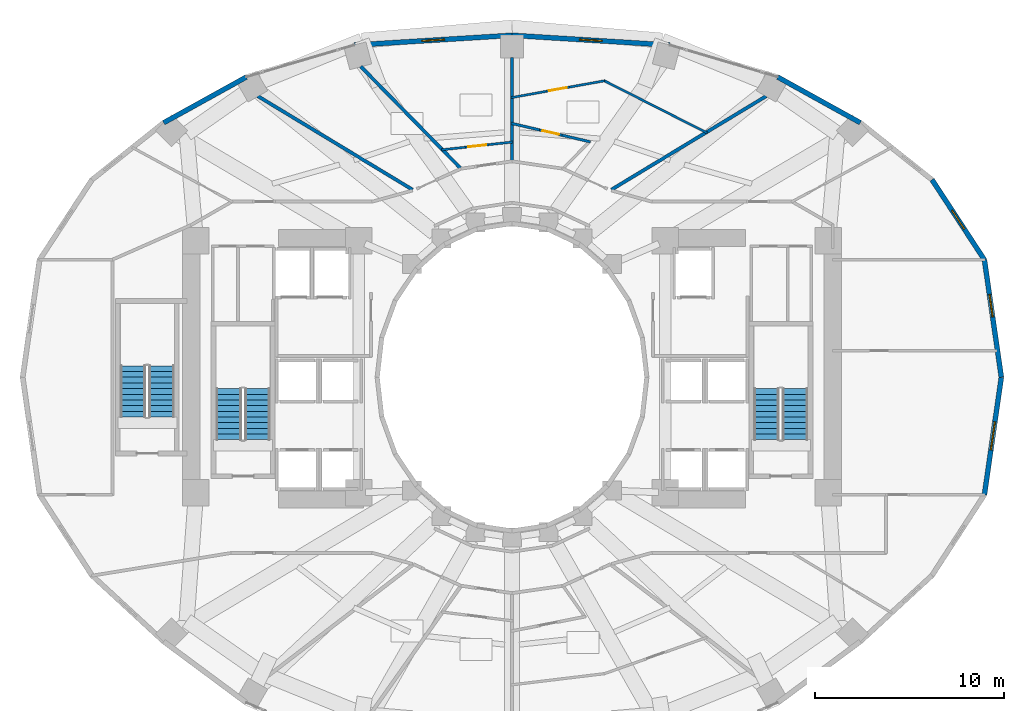
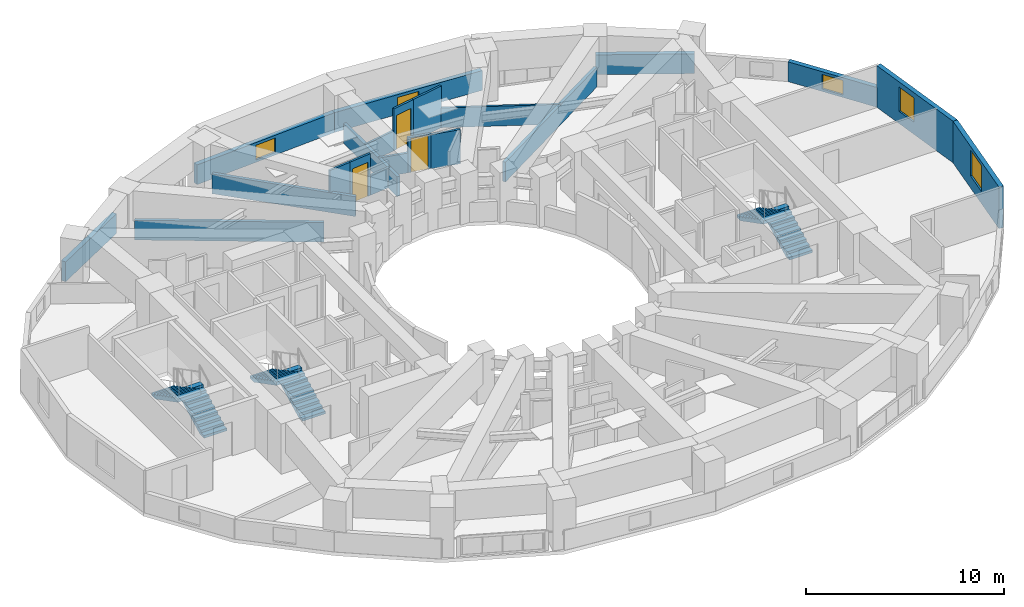
# One storey, part 13 of 16: 21 walls, 6 stair flights, 5 windows, 3 doors, 8 openings, 3 elements without a shape of their own.
"""IFC4 building model written with IfcOpenShell, lengths in metres."""

from ifc_helpers import new_model, si_unit, direction, frame, frame_2d, origin, place, context, subcontext, project, spatial, polyline, rectangle, outline, extrude, material, layer, layer_set, type_object, element, fill, aggregate, save


model = new_model("IFC4")

# Units and contexts
model_context = context("Model", 3, precision=1e-05, world=origin(), true_north=direction((0.0, 1.0)))
body_context = subcontext(model_context, "Body", "Model", "MODEL_VIEW")
ifc_project = project(units=[si_unit("LENGTHUNIT", "METRE"), si_unit("AREAUNIT", "SQUARE_METRE"), si_unit("VOLUMEUNIT", "CUBIC_METRE"), si_unit("PLANEANGLEUNIT", "RADIAN"), si_unit("MASSUNIT", "GRAM", prefix="KILO")], contexts=[model_context])

# Site, building, storey
site_placement = place(None, origin())
site = spatial("IfcSite", under=ifc_project, at=site_placement, CompositionType="ELEMENT")
building_placement = place(site_placement, origin())
building = spatial("IfcBuilding", under=site, at=building_placement, Name="Solvane Sanctuary Tower", CompositionType="ELEMENT")
storey_placement = place(building_placement, frame((0.0, 0.0, 61.699951171875)))
storey = spatial("IfcBuildingStorey", under=building, at=storey_placement, Name="L18", CompositionType="ELEMENT", Elevation=61.699951171875)

# Wall, opening, window
ifc_material_1 = material(Name="Precast concrete C40/50", Category="concrete")
ifc_layer_1 = layer(ifc_material_1, 0.260009765625, Name="Precast concrete C40/50")
ifc_layer_set_1 = layer_set([ifc_layer_1], Name="Precast concrete C40/50")
wall_type_1 = type_object("IfcWallType", Name="Wall W-EXT-250", PredefinedType="STANDARD", material=ifc_layer_set_1)
wall_1_placement = place(storey_placement, frame((57.860107421875, 23.0, 0.0), z_axis=(0.0, 0.0, 1.0), x_axis=(-0.142528001686, 0.989790770181, 0.0)))
wall_1 = element("IfcWall", 1, at=wall_1_placement, inside=storey, type_object=wall_type_1, Name="L18 Ceramic-Printed Facade Wall 00", PredefinedType="STANDARD", context=body_context, shape_type="SweptSolid", body=[
    extrude(rectangle(XDim=6.269287109375, YDim=0.260009765625, at=frame_2d((3.134765625, 0.0))), origin(), (0.0, 0.0, 1.0), 2.570068359375),
])
opening_1_placement = place(wall_1_placement, frame((3.216796875, 0.0, 0.75)))
opening_1 = element("IfcOpeningElement", 2, at=opening_1_placement, cuts=wall_1, Name="Opening WN-OPER-1200", PredefinedType="OPENING", context=body_context, shape_type="SweptSolid", body=[
    extrude(rectangle(XDim=1.199951171875, YDim=1.5, at=frame_2d((0.60009765625, 0.75))), frame((0.0, 0.139892578125, 0.0), z_axis=(0.0, -1.0, 0.0), x_axis=(1.0, 0.0, 0.0)), (0.0, 0.0, 1.0), 0.280029296875),
])
ifc_material_2 = material(Name="Dark Ceramic-Fritted Low-E Glass", Category="glass")
window_type_1 = type_object("IfcWindowType", Name="Window WN-OPER-1200", PartitioningType="SINGLE_PANEL", PredefinedType="WINDOW", material=ifc_material_2)
window_1_placement = place(opening_1_placement, origin())
window_1 = element("IfcWindow", 3, at=window_1_placement, inside=storey, type_object=window_type_1, Name="L18 Operable Facade Window 00", OverallHeight=1.5, OverallWidth=1.199951171875, PartitioningType="SINGLE_PANEL", PredefinedType="WINDOW", context=body_context, shape_type="SweptSolid", body=[
    extrude(rectangle(XDim=1.199951171875, YDim=1.5, at=frame_2d((0.60009765625, 0.75))), frame((0.0, 0.030029296875, 0.0), z_axis=(0.0, -1.0, 0.0), x_axis=(1.0, 0.0, 0.0)), (0.0, 0.0, 1.0), 0.06005859375),
])
fill(opening_1, window_1)

wall_2_placement = place(storey_placement, frame((56.966552734375, 29.205322265625, 0.0), z_axis=(0.0, 0.0, 1.0), x_axis=(-0.547702757047, 0.836672988642, 0.0)))
wall_2 = element("IfcWall", 4, at=wall_2_placement, inside=storey, type_object=wall_type_1, Name="L18 Ceramic-Printed Facade Wall 01", PredefinedType="STANDARD", context=body_context, shape_type="SweptSolid", body=[
    extrude(rectangle(XDim=5.0625, YDim=0.260009765625, at=frame_2d((2.53125, 0.0))), origin(), (0.0, 0.0, 1.0), 1.219970703125),
])
opening_2_placement = place(wall_2_placement, frame((1.931396484375, 0.0, 0.14990234375)))
opening_2 = element("IfcOpeningElement", 5, at=opening_2_placement, cuts=wall_2, Name="Opening WN-OPER-1200", PredefinedType="OPENING", context=body_context, shape_type="SweptSolid", body=[
    extrude(rectangle(XDim=1.199951171875, YDim=0.89990234375, at=frame_2d((0.60009765625, 0.449951171875))), frame((0.0, 0.139892578125, 0.0), z_axis=(0.0, -1.0, 0.0), x_axis=(1.0, 0.0, 0.0)), (0.0, 0.0, 1.0), 0.280029296875),
])
window_2_placement = place(opening_2_placement, origin())
window_2 = element("IfcWindow", 6, at=window_2_placement, inside=storey, type_object=window_type_1, Name="L18 Operable Facade Window 01", OverallHeight=0.89990234375, OverallWidth=1.199951171875, PartitioningType="SINGLE_PANEL", PredefinedType="WINDOW", context=body_context, shape_type="SweptSolid", body=[
    extrude(rectangle(XDim=1.199951171875, YDim=0.89990234375, at=frame_2d((0.60009765625, 0.449951171875))), frame((0.0, 0.030029296875, 0.0), z_axis=(0.0, -1.0, 0.0), x_axis=(1.0, 0.0, 0.0)), (0.0, 0.0, 1.0), 0.06005859375),
])
fill(opening_2, window_2)

# Wall
wall_3_placement = place(storey_placement, frame((50.404541015625, 36.449951171875, 0.0), z_axis=(0.0, 0.0, 1.0), x_axis=(-0.875137303239, 0.483874674352, 0.0)))
element("IfcWall", 7, at=wall_3_placement, inside=storey, type_object=wall_type_1, Name="L18 Ceramic-Printed Facade Wall 03", PredefinedType="STANDARD", context=body_context, shape_type="SweptSolid", body=[
    extrude(rectangle(XDim=4.985107421875, YDim=0.260009765625, at=frame_2d((2.49267578125, 0.0))), origin(), (0.0, 0.0, 1.0), 1.219970703125),
])

# Wall, opening, window
wall_4_placement = place(storey_placement, frame((40.331787109375, 40.552978515625, 0.0), z_axis=(0.0, 0.0, 1.0), x_axis=(-0.998090514779, 0.061768311519, 0.0)))
wall_4 = element("IfcWall", 8, at=wall_4_placement, inside=storey, type_object=wall_type_1, Name="L18 Ceramic-Printed Facade Wall 05", PredefinedType="STANDARD", context=body_context, shape_type="SweptSolid", body=[
    extrude(rectangle(XDim=8.34765625, YDim=0.260009765625, at=frame_2d((4.173828125, 0.0))), origin(), (0.0, 0.0, 1.0), 1.219970703125),
])
opening_3_placement = place(wall_4_placement, frame((3.57373046875, 0.0, 0.14990234375)))
opening_3 = element("IfcOpeningElement", 9, at=opening_3_placement, cuts=wall_4, Name="Opening WN-OPER-1200", PredefinedType="OPENING", context=body_context, shape_type="SweptSolid", body=[
    extrude(rectangle(XDim=1.199951171875, YDim=0.89990234375, at=frame_2d((0.60009765625, 0.449951171875))), frame((0.0, 0.139892578125, 0.0), z_axis=(0.0, -1.0, 0.0), x_axis=(1.0, 0.0, 0.0)), (0.0, 0.0, 1.0), 0.280029296875),
])
window_3_placement = place(opening_3_placement, origin())
window_3 = element("IfcWindow", 10, at=window_3_placement, inside=storey, type_object=window_type_1, Name="L18 Operable Facade Window 05", OverallHeight=0.89990234375, OverallWidth=1.199951171875, PartitioningType="SINGLE_PANEL", PredefinedType="WINDOW", context=body_context, shape_type="SweptSolid", body=[
    extrude(rectangle(XDim=1.199951171875, YDim=0.89990234375, at=frame_2d((0.60009765625, 0.449951171875))), frame((0.0, 0.030029296875, 0.0), z_axis=(0.0, -1.0, 0.0), x_axis=(1.0, 0.0, 0.0)), (0.0, 0.0, 1.0), 0.06005859375),
])
fill(opening_3, window_3)

wall_5_placement = place(storey_placement, frame((32.0, 41.068603515625, 0.0), z_axis=(0.0, 0.0, 1.0), x_axis=(-0.998090514779, -0.061768311519, 0.0)))
wall_5 = element("IfcWall", 11, at=wall_5_placement, inside=storey, type_object=wall_type_1, Name="L18 Ceramic-Printed Facade Wall 06", PredefinedType="STANDARD", context=body_context, shape_type="SweptSolid", body=[
    extrude(rectangle(XDim=8.34765625, YDim=0.260009765625, at=frame_2d((4.173828125, 0.0))), origin(), (0.0, 0.0, 1.0), 1.219970703125),
])
opening_4_placement = place(wall_5_placement, frame((3.57373046875, 0.0, 0.14990234375)))
opening_4 = element("IfcOpeningElement", 12, at=opening_4_placement, cuts=wall_5, Name="Opening WN-OPER-1200", PredefinedType="OPENING", context=body_context, shape_type="SweptSolid", body=[
    extrude(rectangle(XDim=1.199951171875, YDim=0.89990234375, at=frame_2d((0.60009765625, 0.449951171875))), frame((0.0, 0.139892578125, 0.0), z_axis=(0.0, -1.0, 0.0), x_axis=(1.0, 0.0, 0.0)), (0.0, 0.0, 1.0), 0.280029296875),
])
window_4_placement = place(opening_4_placement, origin())
window_4 = element("IfcWindow", 13, at=window_4_placement, inside=storey, type_object=window_type_1, Name="L18 Operable Facade Window 06", OverallHeight=0.89990234375, OverallWidth=1.199951171875, PartitioningType="SINGLE_PANEL", PredefinedType="WINDOW", context=body_context, shape_type="SweptSolid", body=[
    extrude(rectangle(XDim=1.199951171875, YDim=0.89990234375, at=frame_2d((0.60009765625, 0.449951171875))), frame((0.0, 0.030029296875, 0.0), z_axis=(0.0, -1.0, 0.0), x_axis=(1.0, 0.0, 0.0)), (0.0, 0.0, 1.0), 0.06005859375),
])
fill(opening_4, window_4)

# Wall
wall_6_placement = place(storey_placement, frame((17.9580078125, 38.862060546875, 0.0), z_axis=(0.0, 0.0, 1.0), x_axis=(-0.875137303239, -0.483874674352, 0.0)))
element("IfcWall", 14, at=wall_6_placement, inside=storey, type_object=wall_type_1, Name="L18 Ceramic-Printed Facade Wall 08", PredefinedType="STANDARD", context=body_context, shape_type="SweptSolid", body=[
    extrude(rectangle(XDim=4.985107421875, YDim=0.260009765625, at=frame_2d((2.49267578125, 0.0))), origin(), (0.0, 0.0, 1.0), 1.219970703125),
])

# Wall, opening, window
wall_7_placement = place(storey_placement, frame((56.966552734375, 16.794677734375, 0.0), z_axis=(0.0, 0.0, 1.0), x_axis=(0.142528001686, 0.989790770181, 0.0)))
wall_7 = element("IfcWall", 15, at=wall_7_placement, inside=storey, type_object=wall_type_1, Name="L18 Ceramic-Printed Facade Wall 23", PredefinedType="STANDARD", context=body_context, shape_type="SweptSolid", body=[
    extrude(rectangle(XDim=6.269287109375, YDim=0.260009765625, at=frame_2d((3.134765625, 0.0))), origin(), (0.0, 0.0, 1.0), 2.570068359375),
])
opening_5_placement = place(wall_7_placement, frame((2.384521484375, 0.0, 0.75)))
opening_5 = element("IfcOpeningElement", 16, at=opening_5_placement, cuts=wall_7, Name="Opening WN-OPER-1500", PredefinedType="OPENING", context=body_context, shape_type="SweptSolid", body=[
    extrude(rectangle(XDim=1.5, YDim=1.60009765625, at=frame_2d((0.75, 0.800048828125))), frame((0.0, 0.139892578125, 0.0), z_axis=(0.0, -1.0, 0.0), x_axis=(1.0, 0.0, 0.0)), (0.0, 0.0, 1.0), 0.280029296875),
])
window_type_2 = type_object("IfcWindowType", Name="Window WN-OPER-1500", PartitioningType="SINGLE_PANEL", PredefinedType="WINDOW", material=ifc_material_2)
window_5_placement = place(opening_5_placement, origin())
window_5 = element("IfcWindow", 17, at=window_5_placement, inside=storey, type_object=window_type_2, Name="L18 Operable Facade Window 23", OverallHeight=1.60009765625, OverallWidth=1.5, PartitioningType="SINGLE_PANEL", PredefinedType="WINDOW", context=body_context, shape_type="SweptSolid", body=[
    extrude(rectangle(XDim=1.5, YDim=1.60009765625, at=frame_2d((0.75, 0.800048828125))), frame((0.0, 0.030029296875, 0.0), z_axis=(0.0, -1.0, 0.0), x_axis=(1.0, 0.0, 0.0)), (0.0, 0.0, 1.0), 0.06005859375),
])
fill(opening_5, window_5)

# Walls
ifc_material_3 = material(Name="Acoustic Gypsum Partition Board")
ifc_layer_2 = layer(ifc_material_3, 0.1201171875, Name="Acoustic Gypsum Partition Board")
ifc_layer_set_2 = layer_set([ifc_layer_2], Name="Acoustic Gypsum Partition Board")
wall_type_2 = type_object("IfcWallType", Name="Wall W-MOV-100", PredefinedType="MOVABLE", material=ifc_layer_set_2)
wall_8_placement = place(storey_placement, frame((42.3046875, 35.9140625, 0.0), z_axis=(0.0, 0.0, 1.0), x_axis=(-0.891749407737, 0.452529550195, 0.0)))
element("IfcWall", 18, at=wall_8_placement, inside=storey, type_object=wall_type_2, Name="L18 Suite Sitting Lounge Partition N1", PredefinedType="MOVABLE", context=body_context, shape_type="SweptSolid", body=[
    extrude(rectangle(XDim=6.08984375, YDim=0.1201171875, at=frame_2d((3.044921875, 0.0))), origin(), (0.0, 0.0, 1.0), 1.219970703125),
])
wall_9_placement = place(storey_placement, frame((36.892578125, 38.667236328125, 0.0), z_axis=(0.0, 0.0, 1.0), x_axis=(-0.984000828306, -0.178163884929, 0.0)))
element("IfcWall", 19, at=wall_9_placement, inside=storey, type_object=wall_type_2, Name="L18 Suite Sitting Lounge Partition N1", PredefinedType="MOVABLE", context=body_context, shape_type="SweptSolid", body=[
    extrude(rectangle(XDim=1.8759765625, YDim=0.1201171875, at=frame_2d((0.93798828125, 0.0))), origin(), (0.0, 0.0, 1.0), 2.574951171875),
])

# Wall, opening, door
wall_10_placement = place(storey_placement, frame((35.046630859375, 38.3330078125, 0.0), z_axis=(0.0, 0.0, 1.0), x_axis=(-0.983955925846, -0.178411703631, 0.0)))
wall_10 = element("IfcWall", 20, at=wall_10_placement, inside=storey, type_object=wall_type_2, Name="L18 Suite Sitting Lounge Partition N1", PredefinedType="MOVABLE", context=body_context, shape_type="SweptSolid", body=[
    extrude(rectangle(XDim=1.269775390625, YDim=0.1201171875, at=frame_2d((0.634765625, 0.0))), origin(), (0.0, 0.0, 1.0), 2.574951171875),
])
opening_6_placement = place(wall_10_placement, frame((0.159912109375, 0.0, 0.0)))
opening_6 = element("IfcOpeningElement", 21, at=opening_6_placement, cuts=wall_10, Name="Opening D-L18-20", PredefinedType="OPENING", context=body_context, shape_type="SweptSolid", body=[
    extrude(rectangle(XDim=0.949951171875, YDim=2.10009765625, at=frame_2d((0.47509765625, 1.050048828125))), frame((0.0, 0.070068359375, 0.0), z_axis=(0.0, -1.0, 0.0), x_axis=(1.0, 0.0, 0.0)), (0.0, 0.0, 1.0), 0.14013671875),
])
ifc_material_4 = material(Name="Engineered Tropical Hardwood", Category="wood")
door_type_1 = type_object("IfcDoorType", Name="Door D-ROOM-950", OperationType="NOTDEFINED", PredefinedType="DOOR", material=ifc_material_4)
door_1_placement = place(opening_6_placement, origin())
door_1 = element("IfcDoor", 22, at=door_1_placement, inside=storey, type_object=door_type_1, Name="L18 Suite Sitting Lounge Door N1", OperationType="SINGLE_SWING_LEFT", OverallHeight=2.10009765625, OverallWidth=0.949951171875, PredefinedType="DOOR", context=body_context, shape_type="SweptSolid", body=[
    extrude(rectangle(XDim=0.949951171875, YDim=2.10009765625, at=frame_2d((0.47509765625, 1.050048828125))), frame((0.0, 0.02490234375, 0.0), z_axis=(0.0, -1.0, 0.0), x_axis=(1.0, 0.0, 0.0)), (0.0, 0.0, 1.0), 0.050048828125),
])
fill(opening_6, door_1)

# Walls
wall_11_placement = place(storey_placement, frame((33.797119140625, 38.1064453125, 0.0), z_axis=(0.0, 0.0, 1.0), x_axis=(-0.98400908714, -0.178118265278, 0.0)))
element("IfcWall", 23, at=wall_11_placement, inside=storey, type_object=wall_type_2, Name="L18 Suite Sitting Lounge Partition N1", PredefinedType="MOVABLE", context=body_context, shape_type="SweptSolid", body=[
    extrude(rectangle(XDim=1.87646484375, YDim=0.1201171875, at=frame_2d((0.938232421875, 0.0))), origin(), (0.0, 0.0, 1.0), 1.219970703125),
])
wall_12_placement = place(storey_placement, frame((32.0498046875, 35.43212890625, 0.0), z_axis=(0.0, 0.0, 1.0), x_axis=(-0.993986922288, -0.109498850775, 0.0)))
element("IfcWall", 24, at=wall_12_placement, inside=storey, type_object=wall_type_2, Name="L18 Suite Sitting Lounge Partition N2", PredefinedType="MOVABLE", context=body_context, shape_type="SweptSolid", body=[
    extrude(rectangle(XDim=1.26416015625, YDim=0.1201171875, at=frame_2d((0.632080078125, 0.0))), origin(), (0.0, 0.0, 1.0), 1.219970703125),
])

# Wall, opening, door
wall_13_placement = place(storey_placement, frame((30.793212890625, 35.293701171875, 0.0), z_axis=(0.0, 0.0, 1.0), x_axis=(-0.994000385789, -0.109376565367, 0.0)))
wall_13 = element("IfcWall", 25, at=wall_13_placement, inside=storey, type_object=wall_type_2, Name="L18 Suite Sitting Lounge Partition N2", PredefinedType="MOVABLE", context=body_context, shape_type="SweptSolid", body=[
    extrude(rectangle(XDim=1.27001953125, YDim=0.1201171875, at=frame_2d((0.635009765625, 0.0))), origin(), (0.0, 0.0, 1.0), 2.574951171875),
])
opening_7_placement = place(wall_13_placement, frame((0.159912109375, 0.0, 0.0)))
opening_7 = element("IfcOpeningElement", 26, at=opening_7_placement, cuts=wall_13, Name="Opening D-L18-23", PredefinedType="OPENING", context=body_context, shape_type="SweptSolid", body=[
    extrude(rectangle(XDim=0.949951171875, YDim=2.10009765625, at=frame_2d((0.47509765625, 1.050048828125))), frame((0.0, 0.070068359375, 0.0), z_axis=(0.0, -1.0, 0.0), x_axis=(1.0, 0.0, 0.0)), (0.0, 0.0, 1.0), 0.14013671875),
])
door_2_placement = place(opening_7_placement, origin())
door_2 = element("IfcDoor", 27, at=door_2_placement, inside=storey, type_object=door_type_1, Name="L18 Suite Sitting Lounge Door N2", OperationType="SINGLE_SWING_RIGHT", OverallHeight=2.10009765625, OverallWidth=0.949951171875, PredefinedType="DOOR", context=body_context, shape_type="SweptSolid", body=[
    extrude(rectangle(XDim=0.949951171875, YDim=2.10009765625, at=frame_2d((0.47509765625, 1.050048828125))), frame((0.0, 0.02490234375, 0.0), z_axis=(0.0, -1.0, 0.0), x_axis=(1.0, 0.0, 0.0)), (0.0, 0.0, 1.0), 0.050048828125),
])
fill(opening_7, door_2)

# Walls
wall_14_placement = place(storey_placement, frame((29.53076171875, 35.15478515625, 0.0), z_axis=(0.0, 0.0, 1.0), x_axis=(-0.99400561549, -0.109329028054, 0.0)))
element("IfcWall", 28, at=wall_14_placement, inside=storey, type_object=wall_type_2, Name="L18 Suite Sitting Lounge Partition N2", PredefinedType="MOVABLE", context=body_context, shape_type="SweptSolid", body=[
    extrude(rectangle(XDim=1.263916015625, YDim=0.1201171875, at=frame_2d((0.6318359375, 0.0))), origin(), (0.0, 0.0, 1.0), 2.574951171875),
])
ifc_layer_3 = layer(ifc_material_3, 0.179931640625, Name="Acoustic Gypsum Partition Board")
ifc_layer_set_3 = layer_set([ifc_layer_3], Name="Acoustic Gypsum Partition Board")
wall_type_3 = type_object("IfcWallType", Name="Wall W-UNIT-180", PredefinedType="PARTITIONING", material=ifc_layer_set_3)
wall_15_placement = place(storey_placement, frame((37.252197265625, 32.909912109375, 0.0), z_axis=(0.0, 0.0, 1.0), x_axis=(0.855817136021, 0.517278483694, 0.0)))
element("IfcWall", 29, at=wall_15_placement, inside=storey, type_object=wall_type_3, Name="L18 Radial Compartment Wall 060", PredefinedType="PARTITIONING", context=body_context, shape_type="SweptSolid", body=[
    extrude(rectangle(XDim=9.56396484375, YDim=0.179931640625, at=frame_2d((4.781982421875, 0.0))), origin(), (0.0, 0.0, 1.0), 1.219970703125),
])
wall_16_placement = place(storey_placement, frame((32.0, 34.465087890625, 0.0), z_axis=(0.0, 0.0, 1.0), x_axis=(0.0, 1.0, 0.0)))
element("IfcWall", 30, at=wall_16_placement, inside=storey, type_object=wall_type_3, Name="L18 Radial Compartment Wall 090", PredefinedType="PARTITIONING", context=body_context, shape_type="SweptSolid", body=[
    extrude(rectangle(XDim=5.434814453125, YDim=0.179931640625, at=frame_2d((2.71728515625, 0.0))), origin(), (0.0, 0.0, 1.0), 1.219970703125),
])
wall_17_placement = place(storey_placement, frame((29.26708984375, 34.060546875, 0.0), z_axis=(0.0, 0.0, 1.0), x_axis=(-0.700234780085, 0.713912636644, 0.0)))
element("IfcWall", 31, at=wall_17_placement, inside=storey, type_object=wall_type_3, Name="L18 Radial Compartment Wall 105", PredefinedType="PARTITIONING", context=body_context, shape_type="SweptSolid", body=[
    extrude(rectangle(XDim=7.5146484375, YDim=0.179931640625, at=frame_2d((3.75732421875, 0.0))), origin(), (0.0, 0.0, 1.0), 1.219970703125),
])
wall_18_placement = place(storey_placement, frame((26.747802734375, 32.909912109375, 0.0), z_axis=(0.0, 0.0, 1.0), x_axis=(-0.855817136021, 0.517278483694, 0.0)))
element("IfcWall", 32, at=wall_18_placement, inside=storey, type_object=wall_type_3, Name="L18 Radial Compartment Wall 120", PredefinedType="PARTITIONING", context=body_context, shape_type="SweptSolid", body=[
    extrude(rectangle(XDim=9.56396484375, YDim=0.179931640625, at=frame_2d((4.781982421875, 0.0))), origin(), (0.0, 0.0, 1.0), 1.219970703125),
])
ifc_layer_4 = layer(ifc_material_3, 0.139892578125, Name="Acoustic Gypsum Partition Board")
ifc_layer_set_4 = layer_set([ifc_layer_4], Name="Acoustic Gypsum Partition Board")
wall_type_4 = type_object("IfcWallType", Name="Wall W-WET-140", PredefinedType="PLUMBINGWALL", material=ifc_layer_set_4)
wall_19_placement = place(storey_placement, frame((36.1435546875, 35.4375, 0.0), z_axis=(0.0, 0.0, 1.0), x_axis=(-0.973549808771, 0.228474877924, 0.0)))
element("IfcWall", 33, at=wall_19_placement, inside=storey, type_object=wall_type_4, Name="L18 En-suite Bedroom Wall N1", PredefinedType="PLUMBINGWALL", context=body_context, shape_type="SweptSolid", body=[
    extrude(rectangle(XDim=1.54296875, YDim=0.139892578125, at=frame_2d((0.771484375, 0.0))), origin(), (0.0, 0.0, 1.0), 2.10498046875),
])

# Wall, opening, door
wall_20_placement = place(storey_placement, frame((34.641357421875, 35.7900390625, 0.0), z_axis=(0.0, 0.0, 1.0), x_axis=(-0.97353775554, 0.228526231619, 0.0)))
wall_20 = element("IfcWall", 34, at=wall_20_placement, inside=storey, type_object=wall_type_4, Name="L18 En-suite Bedroom Wall N1", PredefinedType="PLUMBINGWALL", context=body_context, shape_type="SweptSolid", body=[
    extrude(rectangle(XDim=1.219970703125, YDim=0.139892578125, at=frame_2d((0.60986328125, 0.0))), origin(), (0.0, 0.0, 1.0), 2.16015625),
])
opening_8_placement = place(wall_20_placement, frame((0.159912109375, 0.0, 0.0)))
opening_8 = element("IfcOpeningElement", 35, at=opening_8_placement, cuts=wall_20, Name="Opening D-L18-21", PredefinedType="OPENING", context=body_context, shape_type="SweptSolid", body=[
    extrude(rectangle(XDim=0.89990234375, YDim=2.10009765625, at=frame_2d((0.449951171875, 1.050048828125))), frame((0.0, 0.079833984375, 0.0), z_axis=(0.0, -1.0, 0.0), x_axis=(1.0, 0.0, 0.0)), (0.0, 0.0, 1.0), 0.159912109375),
])
door_type_2 = type_object("IfcDoorType", Name="Door D-WET-900", OperationType="NOTDEFINED", PredefinedType="DOOR", material=ifc_material_4)
door_3_placement = place(opening_8_placement, origin())
door_3 = element("IfcDoor", 36, at=door_3_placement, inside=storey, type_object=door_type_2, Name="L18 En-suite Bathroom Door N1", OperationType="SINGLE_SWING_RIGHT", OverallHeight=2.10009765625, OverallWidth=0.89990234375, PredefinedType="DOOR", context=body_context, shape_type="SweptSolid", body=[
    extrude(rectangle(XDim=0.89990234375, YDim=2.10009765625, at=frame_2d((0.449951171875, 1.050048828125))), frame((0.0, 0.02490234375, 0.0), z_axis=(0.0, -1.0, 0.0), x_axis=(1.0, 0.0, 0.0)), (0.0, 0.0, 1.0), 0.050048828125),
])
fill(opening_8, door_3)

# Wall
wall_21_placement = place(storey_placement, frame((33.45361328125, 36.06884765625, 0.0), z_axis=(0.0, 0.0, 1.0), x_axis=(-0.973549808771, 0.228474877924, 0.0)))
element("IfcWall", 37, at=wall_21_placement, inside=storey, type_object=wall_type_4, Name="L18 En-suite Bedroom Wall N1", PredefinedType="PLUMBINGWALL", context=body_context, shape_type="SweptSolid", body=[
    extrude(rectangle(XDim=1.54296875, YDim=0.139892578125, at=frame_2d((0.771484375, 0.0))), origin(), (0.0, 0.0, 1.0), 1.219970703125),
])

# Stair, stair flights
ifc_material_5 = material(Name="Concrete C45/55", Category="concrete")
stair_type = type_object("IfcStairType", Name="Stair ST-TOW", PredefinedType="HALF_TURN_STAIR", material=ifc_material_5)
stair_1_placement = place(storey_placement, origin())
stair_1 = element("IfcStair", 38, at=stair_1_placement, inside=storey, type_object=stair_type, Name="L18 Exit Stair ST-1 West Core", PredefinedType="HALF_TURN_STAIR")
stair_flight_type = type_object("IfcStairFlightType", Name="StairFlight SF-TOW", PredefinedType="STRAIGHT", material=ifc_material_5)
stair_flight_1_placement = place(storey_placement, frame((18.544921875, 19.699951171875, 0.0), z_axis=(0.0, 0.0, 1.0), x_axis=(0.0, 1.0, 0.0)))
stair_flight_1 = element("IfcStairFlight", 39, at=stair_flight_1_placement, type_object=stair_flight_type, Name="ST-1 flight 1", NumberOfRisers=10, NumberOfTreads=9, PredefinedType="STRAIGHT", RiserHeight=0.155, TreadLength=0.3, context=body_context, shape_type="SweptSolid", body=[
    extrude(outline(polyline([(0.0, 0.0), (0.0, 0.155029296875), (0.300048828125, 0.155029296875), (0.300048828125, 0.31005859375), (0.60009765625, 0.31005859375), (0.60009765625, 0.465087890625), (0.89990234375, 0.465087890625), (0.89990234375, 0.6201171875), (1.199951171875, 0.6201171875), (1.199951171875, 0.77490234375), (1.5, 0.77490234375), (1.5, 0.929931640625), (1.800048828125, 0.929931640625), (1.800048828125, 1.0849609375), (2.10009765625, 1.0849609375), (2.10009765625, 1.239990234375), (2.39990234375, 1.239990234375), (2.39990234375, 1.39501953125), (2.699951171875, 1.39501953125), (2.699951171875, 1.550048828125), (2.699951171875, 1.1923828125), (0.39208984375, 0.0), (0.0, 0.0)])), frame((0.0, 0.675048828125, 0.0), z_axis=(0.0, -1.0, 0.0), x_axis=(1.0, 0.0, 0.0)), (0.0, 0.0, 1.0), 1.35009765625),
])
stair_flight_2_placement = place(storey_placement, frame((17.034912109375, 22.39990234375, 1.550048828125), z_axis=(0.0, 0.0, 1.0), x_axis=(0.0, -1.0, 0.0)))
stair_flight_2 = element("IfcStairFlight", 40, at=stair_flight_2_placement, type_object=stair_flight_type, Name="ST-1 flight 2", NumberOfRisers=10, NumberOfTreads=9, PredefinedType="STRAIGHT", RiserHeight=0.155, TreadLength=0.3, context=body_context, shape_type="SweptSolid", body=[
    extrude(outline(polyline([(0.0, 0.0), (0.0, 0.155029296875), (0.300048828125, 0.155029296875), (0.300048828125, 0.31005859375), (0.60009765625, 0.31005859375), (0.60009765625, 0.465087890625), (0.89990234375, 0.465087890625), (0.89990234375, 0.6201171875), (1.199951171875, 0.6201171875), (1.199951171875, 0.77490234375), (1.5, 0.77490234375), (1.5, 0.929931640625), (1.800048828125, 0.929931640625), (1.800048828125, 1.0849609375), (2.10009765625, 1.0849609375), (2.10009765625, 1.239990234375), (2.39990234375, 1.239990234375), (2.39990234375, 1.39501953125), (2.699951171875, 1.39501953125), (2.699951171875, 1.550048828125), (2.699951171875, 1.1923828125), (0.39208984375, 0.0), (0.0, 0.0)])), frame((0.0, 0.675048828125, 0.0), z_axis=(0.0, -1.0, 0.0), x_axis=(1.0, 0.0, 0.0)), (0.0, 0.0, 1.0), 1.35009765625),
])
aggregate(stair_1, [stair_flight_1, stair_flight_2])

stair_2_placement = place(storey_placement, origin())
stair_2 = element("IfcStair", 41, at=stair_2_placement, inside=storey, type_object=stair_type, Name="L18 Exit Stair ST-2 East Core", PredefinedType="HALF_TURN_STAIR")
stair_flight_3_placement = place(storey_placement, frame((46.965087890625, 19.699951171875, 0.0), z_axis=(0.0, 0.0, 1.0), x_axis=(0.0, 1.0, 0.0)))
stair_flight_3 = element("IfcStairFlight", 42, at=stair_flight_3_placement, type_object=stair_flight_type, Name="ST-2 flight 1", NumberOfRisers=10, NumberOfTreads=9, PredefinedType="STRAIGHT", RiserHeight=0.155, TreadLength=0.3, context=body_context, shape_type="SweptSolid", body=[
    extrude(outline(polyline([(0.0, 0.0), (0.0, 0.155029296875), (0.300048828125, 0.155029296875), (0.300048828125, 0.31005859375), (0.60009765625, 0.31005859375), (0.60009765625, 0.465087890625), (0.89990234375, 0.465087890625), (0.89990234375, 0.6201171875), (1.199951171875, 0.6201171875), (1.199951171875, 0.77490234375), (1.5, 0.77490234375), (1.5, 0.929931640625), (1.800048828125, 0.929931640625), (1.800048828125, 1.0849609375), (2.10009765625, 1.0849609375), (2.10009765625, 1.239990234375), (2.39990234375, 1.239990234375), (2.39990234375, 1.39501953125), (2.699951171875, 1.39501953125), (2.699951171875, 1.550048828125), (2.699951171875, 1.1923828125), (0.39208984375, 0.0), (0.0, 0.0)])), frame((0.0, 0.675048828125, 0.0), z_axis=(0.0, -1.0, 0.0), x_axis=(1.0, 0.0, 0.0)), (0.0, 0.0, 1.0), 1.35009765625),
])
stair_flight_4_placement = place(storey_placement, frame((45.455078125, 22.39990234375, 1.550048828125), z_axis=(0.0, 0.0, 1.0), x_axis=(0.0, -1.0, 0.0)))
stair_flight_4 = element("IfcStairFlight", 43, at=stair_flight_4_placement, type_object=stair_flight_type, Name="ST-2 flight 2", NumberOfRisers=10, NumberOfTreads=9, PredefinedType="STRAIGHT", RiserHeight=0.155, TreadLength=0.3, context=body_context, shape_type="SweptSolid", body=[
    extrude(outline(polyline([(0.0, 0.0), (0.0, 0.155029296875), (0.300048828125, 0.155029296875), (0.300048828125, 0.31005859375), (0.60009765625, 0.31005859375), (0.60009765625, 0.465087890625), (0.89990234375, 0.465087890625), (0.89990234375, 0.6201171875), (1.199951171875, 0.6201171875), (1.199951171875, 0.77490234375), (1.5, 0.77490234375), (1.5, 0.929931640625), (1.800048828125, 0.929931640625), (1.800048828125, 1.0849609375), (2.10009765625, 1.0849609375), (2.10009765625, 1.239990234375), (2.39990234375, 1.239990234375), (2.39990234375, 1.39501953125), (2.699951171875, 1.39501953125), (2.699951171875, 1.550048828125), (2.699951171875, 1.1923828125), (0.39208984375, 0.0), (0.0, 0.0)])), frame((0.0, 0.675048828125, 0.0), z_axis=(0.0, -1.0, 0.0), x_axis=(1.0, 0.0, 0.0)), (0.0, 0.0, 1.0), 1.35009765625),
])
aggregate(stair_2, [stair_flight_3, stair_flight_4])

stair_3_placement = place(storey_placement, origin())
stair_3 = element("IfcStair", 44, at=stair_3_placement, inside=storey, type_object=stair_type, Name="L18 Exit Stair ST-3 Pilgrim Tower Stair", PredefinedType="HALF_TURN_STAIR")
stair_flight_5_placement = place(storey_placement, frame((13.485107421875, 20.89990234375, 0.0), z_axis=(0.0, 0.0, 1.0), x_axis=(0.0, 1.0, 0.0)))
stair_flight_5 = element("IfcStairFlight", 45, at=stair_flight_5_placement, type_object=stair_flight_type, Name="ST-3 flight 1", NumberOfRisers=10, NumberOfTreads=9, PredefinedType="STRAIGHT", RiserHeight=0.155, TreadLength=0.3, context=body_context, shape_type="SweptSolid", body=[
    extrude(outline(polyline([(0.0, 0.0), (0.0, 0.155029296875), (0.300048828125, 0.155029296875), (0.300048828125, 0.31005859375), (0.60009765625, 0.31005859375), (0.60009765625, 0.465087890625), (0.89990234375, 0.465087890625), (0.89990234375, 0.6201171875), (1.199951171875, 0.6201171875), (1.199951171875, 0.77490234375), (1.5, 0.77490234375), (1.5, 0.929931640625), (1.800048828125, 0.929931640625), (1.800048828125, 1.0849609375), (2.10009765625, 1.0849609375), (2.10009765625, 1.239990234375), (2.39990234375, 1.239990234375), (2.39990234375, 1.39501953125), (2.699951171875, 1.39501953125), (2.699951171875, 1.550048828125), (2.699951171875, 1.1923828125), (0.39208984375, 0.0), (0.0, 0.0)])), frame((0.0, 0.675048828125, 0.0), z_axis=(0.0, -1.0, 0.0), x_axis=(1.0, 0.0, 0.0)), (0.0, 0.0, 1.0), 1.35009765625),
])
stair_flight_6_placement = place(storey_placement, frame((11.97509765625, 23.60009765625, 1.550048828125), z_axis=(0.0, 0.0, 1.0), x_axis=(0.0, -1.0, 0.0)))
stair_flight_6 = element("IfcStairFlight", 46, at=stair_flight_6_placement, type_object=stair_flight_type, Name="ST-3 flight 2", NumberOfRisers=10, NumberOfTreads=9, PredefinedType="STRAIGHT", RiserHeight=0.155, TreadLength=0.3, context=body_context, shape_type="SweptSolid", body=[
    extrude(outline(polyline([(0.0, 0.0), (0.0, 0.155029296875), (0.300048828125, 0.155029296875), (0.300048828125, 0.31005859375), (0.60009765625, 0.31005859375), (0.60009765625, 0.465087890625), (0.89990234375, 0.465087890625), (0.89990234375, 0.6201171875), (1.199951171875, 0.6201171875), (1.199951171875, 0.77490234375), (1.5, 0.77490234375), (1.5, 0.929931640625), (1.800048828125, 0.929931640625), (1.800048828125, 1.0849609375), (2.10009765625, 1.0849609375), (2.10009765625, 1.239990234375), (2.39990234375, 1.239990234375), (2.39990234375, 1.39501953125), (2.699951171875, 1.39501953125), (2.699951171875, 1.550048828125), (2.699951171875, 1.1923828125), (0.39208984375, 0.0), (0.0, 0.0)])), frame((0.0, 0.675048828125, 0.0), z_axis=(0.0, -1.0, 0.0), x_axis=(1.0, 0.0, 0.0)), (0.0, 0.0, 1.0), 1.35009765625),
])
aggregate(stair_3, [stair_flight_5, stair_flight_6])

save(model, "model.ifc")
